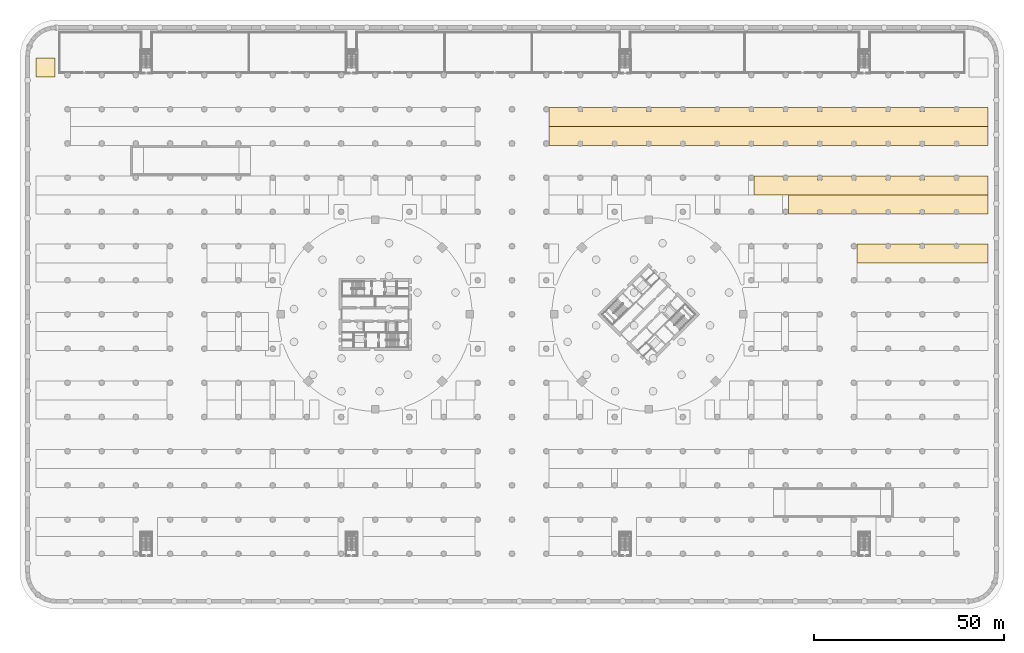
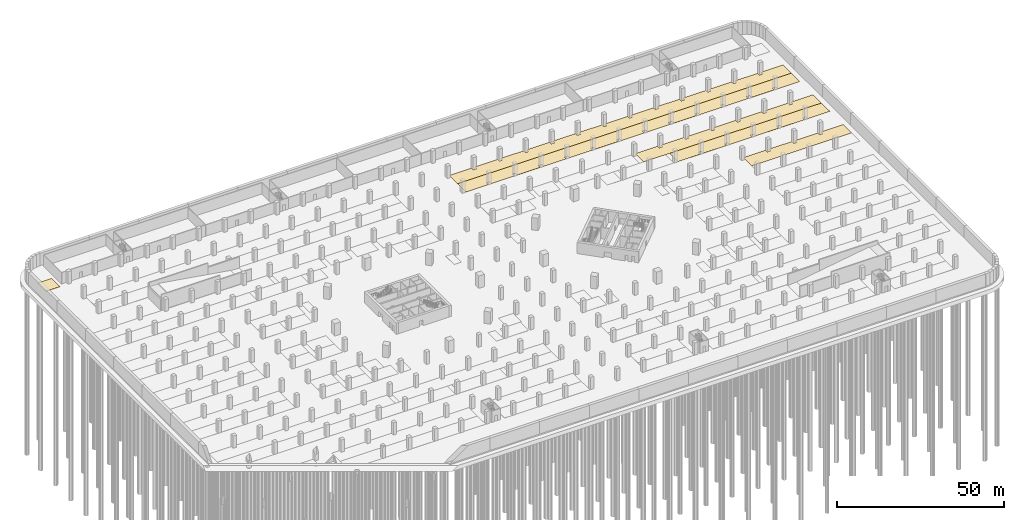
# One storey, part 34 of 39: 6 coverings.
"""IFC4 building model written with IfcOpenShell, lengths in metres."""

from ifc_helpers import new_model, si_unit, direction, frame, origin, place, context, subcontext, project, spatial, polyline, outline, extrude, material, layer, layer_set, type_object, element, save


model = new_model("IFC4")

# Units and contexts
model_context = context("Model", 3, precision=1e-05, world=origin(), true_north=direction((0.0, 1.0)))
body_context = subcontext(model_context, "Body", "Model", "MODEL_VIEW")
ifc_project = project(units=[si_unit("LENGTHUNIT", "METRE"), si_unit("AREAUNIT", "SQUARE_METRE"), si_unit("VOLUMEUNIT", "CUBIC_METRE"), si_unit("PLANEANGLEUNIT", "RADIAN"), si_unit("MASSUNIT", "GRAM", prefix="KILO")], contexts=[model_context])

# Site, building, storey
site_placement = place(None, origin())
site = spatial("IfcSite", under=ifc_project, at=site_placement, CompositionType="ELEMENT")
building_placement = place(site_placement, origin())
building = spatial("IfcBuilding", under=site, at=building_placement, Name="Ogive Gate Towers", CompositionType="ELEMENT")
storey_placement = place(building_placement, frame((0.0, 0.0, -9.0)))
storey = spatial("IfcBuildingStorey", under=building, at=storey_placement, Name="B2", CompositionType="ELEMENT", Elevation=-9.0)

# Coverings
ifc_material = material(Name="Painted floor marking")
ifc_layer = layer(ifc_material, 0.02001953125)
ifc_layer_set = layer_set([ifc_layer], Name="Parking bay marking")
covering_type = type_object("IfcCoveringType", Name="Parking bay marking", PredefinedType="FLOORING", material=ifc_layer_set)
covering_1_placement = place(storey_placement, origin())
element("IfcCovering", 1, at=covering_1_placement, inside=storey, type_object=covering_type, Name="Parking bays B2-045 to B2-062", PredefinedType="FLOORING", context=body_context, shape_type="SweptSolid", body=[
    extrude(outline(polyline([(72.75, 31.5), (125.25, 31.5), (125.25, 26.5), (117.550048828125, 26.5), (117.550048828125, 27.550048828125), (116.449951171875, 27.550048828125), (116.449951171875, 26.5), (108.550048828125, 26.5), (108.550048828125, 27.550048828125), (107.449951171875, 27.550048828125), (107.449951171875, 26.5), (99.550048828125, 26.5), (99.550048828125, 27.550048828125), (98.449951171875, 27.550048828125), (98.449951171875, 26.5), (90.550048828125, 26.5), (90.550048828125, 27.550048828125), (89.449951171875, 27.550048828125), (89.449951171875, 26.5), (81.550048828125, 26.5), (81.550048828125, 27.550048828125), (80.449951171875, 27.550048828125), (80.449951171875, 26.5), (72.75, 26.5), (72.75, 31.5)])), origin(), (0.0, 0.0, 1.0), 0.02001953125),
])
covering_2_placement = place(storey_placement, origin())
element("IfcCovering", 2, at=covering_2_placement, inside=storey, type_object=covering_type, Name="Parking bays B2-133 to B2-171", PredefinedType="FLOORING", context=body_context, shape_type="SweptSolid", body=[
    extrude(outline(polyline([(9.75, 49.5), (125.25, 49.5), (125.25, 44.5), (117.550048828125, 44.5), (117.550048828125, 45.550048828125), (116.449951171875, 45.550048828125), (116.449951171875, 44.5), (108.550048828125, 44.5), (108.550048828125, 45.550048828125), (107.449951171875, 45.550048828125), (107.449951171875, 44.5), (99.550048828125, 44.5), (99.550048828125, 45.550048828125), (98.449951171875, 45.550048828125), (98.449951171875, 44.5), (90.550048828125, 44.5), (90.550048828125, 45.550048828125), (89.449951171875, 45.550048828125), (89.449951171875, 44.5), (81.550048828125, 44.5), (81.550048828125, 45.550048828125), (80.449951171875, 45.550048828125), (80.449951171875, 44.5), (72.550048828125, 44.5), (72.550048828125, 45.550048828125), (71.449951171875, 45.550048828125), (71.449951171875, 44.5), (63.550048828125, 44.5), (63.550048828125, 45.550048828125), (62.449951171875, 45.550048828125), (62.449951171875, 44.5), (54.550048828125, 44.5), (54.550048828125, 45.550048828125), (53.449951171875, 45.550048828125), (53.449951171875, 44.5), (45.550048828125, 44.5), (45.550048828125, 45.550048828125), (44.449951171875, 45.550048828125), (44.449951171875, 44.5), (36.550048828125, 44.5), (36.550048828125, 45.550048828125), (35.449951171875, 45.550048828125), (35.449951171875, 44.5), (27.550048828125, 44.5), (27.550048828125, 45.550048828125), (26.449951171875, 45.550048828125), (26.449951171875, 44.5), (18.550048828125, 44.5), (18.550048828125, 45.550048828125), (17.449951171875, 45.550048828125), (17.449951171875, 44.5), (9.75, 44.5), (9.75, 49.5)])), origin(), (0.0, 0.0, 1.0), 0.02001953125),
])
covering_3_placement = place(storey_placement, origin())
element("IfcCovering", 3, at=covering_3_placement, inside=storey, type_object=covering_type, Name="Parking bays B2-172 to B2-173", PredefinedType="FLOORING", context=body_context, shape_type="SweptSolid", body=[
    extrude(outline(polyline([(-120.25, 67.5), (-120.25, 62.5), (-125.25, 62.5), (-125.25, 67.5), (-120.25, 67.5)])), origin(), (0.0, 0.0, 1.0), 0.02001953125),
])
covering_4_placement = place(storey_placement, origin())
element("IfcCovering", 4, at=covering_4_placement, inside=storey, type_object=covering_type, Name="Parking bays B2-431 to B2-442", PredefinedType="FLOORING", context=body_context, shape_type="SweptSolid", body=[
    extrude(outline(polyline([(90.75, 18.5), (98.449951171875, 18.5), (98.449951171875, 17.449951171875), (99.550048828125, 17.449951171875), (99.550048828125, 18.5), (107.449951171875, 18.5), (107.449951171875, 17.449951171875), (108.550048828125, 17.449951171875), (108.550048828125, 18.5), (116.449951171875, 18.5), (116.449951171875, 17.449951171875), (117.550048828125, 17.449951171875), (117.550048828125, 18.5), (125.25, 18.5), (125.25, 13.5), (90.75, 13.5), (90.75, 18.5)])), origin(), (0.0, 0.0, 1.0), 0.02001953125),
])
covering_5_placement = place(storey_placement, origin())
element("IfcCovering", 5, at=covering_5_placement, inside=storey, type_object=covering_type, Name="Parking bays B2-531 to B2-551", PredefinedType="FLOORING", context=body_context, shape_type="SweptSolid", body=[
    extrude(outline(polyline([(63.75, 36.5), (71.449951171875, 36.5), (71.449951171875, 35.449951171875), (72.550048828125, 35.449951171875), (72.550048828125, 36.5), (80.449951171875, 36.5), (80.449951171875, 35.449951171875), (81.550048828125, 35.449951171875), (81.550048828125, 36.5), (89.449951171875, 36.5), (89.449951171875, 35.449951171875), (90.550048828125, 35.449951171875), (90.550048828125, 36.5), (98.449951171875, 36.5), (98.449951171875, 35.449951171875), (99.550048828125, 35.449951171875), (99.550048828125, 36.5), (107.449951171875, 36.5), (107.449951171875, 35.449951171875), (108.550048828125, 35.449951171875), (108.550048828125, 36.5), (116.449951171875, 36.5), (116.449951171875, 35.449951171875), (117.550048828125, 35.449951171875), (117.550048828125, 36.5), (125.25, 36.5), (125.25, 31.5), (63.75, 31.5), (63.75, 36.5)])), origin(), (0.0, 0.0, 1.0), 0.02001953125),
])
covering_6_placement = place(storey_placement, origin())
element("IfcCovering", 6, at=covering_6_placement, inside=storey, type_object=covering_type, Name="Parking bays B2-588 to B2-626", PredefinedType="FLOORING", context=body_context, shape_type="SweptSolid", body=[
    extrude(outline(polyline([(9.75, 54.5), (17.449951171875, 54.5), (17.449951171875, 53.449951171875), (18.550048828125, 53.449951171875), (18.550048828125, 54.5), (26.449951171875, 54.5), (26.449951171875, 53.449951171875), (27.550048828125, 53.449951171875), (27.550048828125, 54.5), (35.449951171875, 54.5), (35.449951171875, 53.449951171875), (36.550048828125, 53.449951171875), (36.550048828125, 54.5), (44.449951171875, 54.5), (44.449951171875, 53.449951171875), (45.550048828125, 53.449951171875), (45.550048828125, 54.5), (53.449951171875, 54.5), (53.449951171875, 53.449951171875), (54.550048828125, 53.449951171875), (54.550048828125, 54.5), (62.449951171875, 54.5), (62.449951171875, 53.449951171875), (63.550048828125, 53.449951171875), (63.550048828125, 54.5), (71.449951171875, 54.5), (71.449951171875, 53.449951171875), (72.550048828125, 53.449951171875), (72.550048828125, 54.5), (80.449951171875, 54.5), (80.449951171875, 53.449951171875), (81.550048828125, 53.449951171875), (81.550048828125, 54.5), (89.449951171875, 54.5), (89.449951171875, 53.449951171875), (90.550048828125, 53.449951171875), (90.550048828125, 54.5), (98.449951171875, 54.5), (98.449951171875, 53.449951171875), (99.550048828125, 53.449951171875), (99.550048828125, 54.5), (107.449951171875, 54.5), (107.449951171875, 53.449951171875), (108.550048828125, 53.449951171875), (108.550048828125, 54.5), (116.449951171875, 54.5), (116.449951171875, 53.449951171875), (117.550048828125, 53.449951171875), (117.550048828125, 54.5), (125.25, 54.5), (125.25, 49.5), (9.75, 49.5), (9.75, 54.5)])), origin(), (0.0, 0.0, 1.0), 0.02001953125),
])

save(model, "model.ifc")
